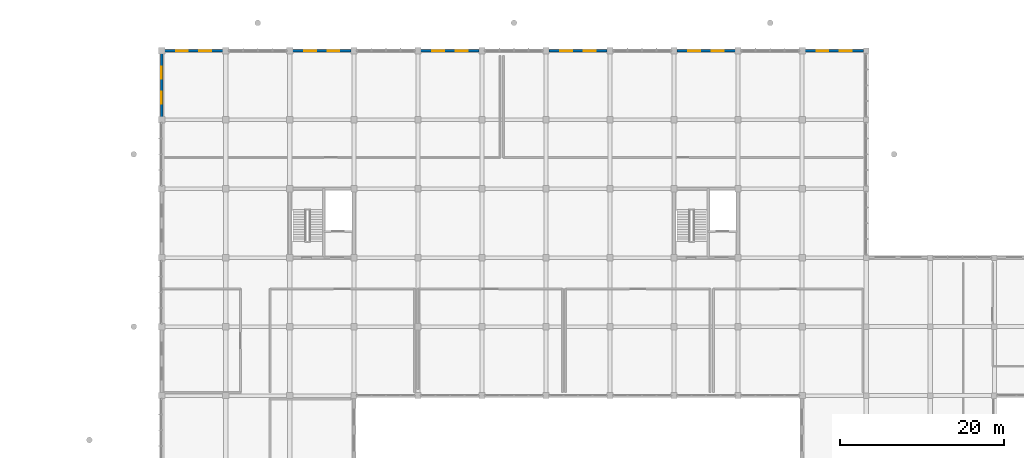
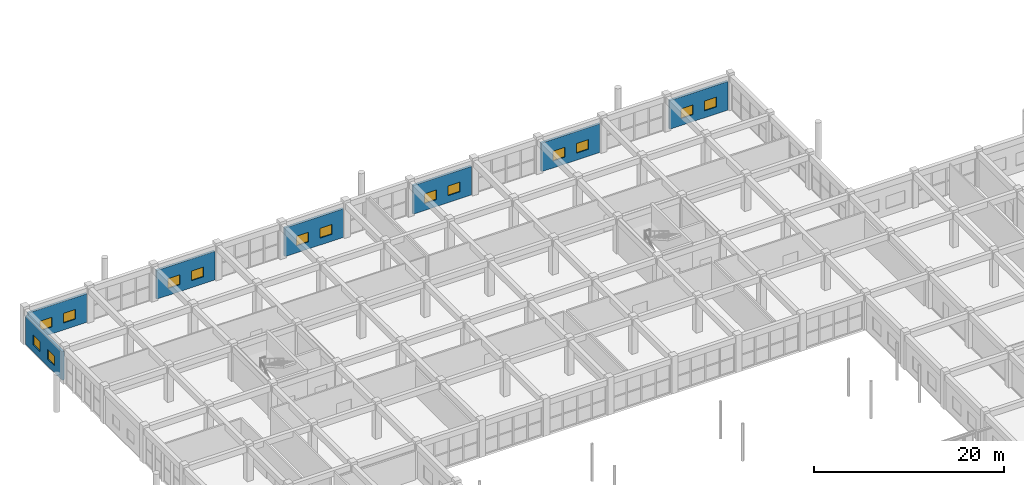
# One storey, part 167 of 175: 14 windows, 7 walls, 14 openings.
"""IFC4 building model written with IfcOpenShell, lengths in metres."""

from ifc_helpers import new_model, si_unit, direction, frame, frame_2d, origin, place, context, subcontext, project, spatial, rectangle, extrude, material, layer, layer_set, type_object, element, fill, save


model = new_model("IFC4")

# Units and contexts
model_context = context("Model", 3, precision=1e-05, world=origin(), true_north=direction((0.0, 1.0)))
body_context = subcontext(model_context, "Body", "Model", "MODEL_VIEW")
ifc_project = project(units=[si_unit("LENGTHUNIT", "METRE"), si_unit("AREAUNIT", "SQUARE_METRE"), si_unit("VOLUMEUNIT", "CUBIC_METRE"), si_unit("PLANEANGLEUNIT", "RADIAN"), si_unit("MASSUNIT", "GRAM", prefix="KILO")], contexts=[model_context])

# Site, building, storey
site_placement = place(None, origin())
site = spatial("IfcSite", under=ifc_project, at=site_placement, CompositionType="ELEMENT")
building_placement = place(site_placement, origin())
building = spatial("IfcBuilding", under=site, at=building_placement, Name="Zizhar Promenade General Hospital", CompositionType="ELEMENT")
storey_placement = place(building_placement, frame((0.0, 0.0, 4.800048828125)))
storey = spatial("IfcBuildingStorey", under=building, at=storey_placement, Name="L01", CompositionType="ELEMENT", Elevation=4.800048828125)

# Wall, openings, windows
ifc_material_1 = material(Name="Precast concrete C40/50", Category="concrete")
ifc_layer = layer(ifc_material_1, 0.27490234375)
ifc_layer_set = layer_set([ifc_layer], Name="Precast concrete C40/50")
wall_type = type_object("IfcWallType", Name="EW-PC-275", PredefinedType="STANDARD", material=ifc_layer_set)
wall_1_placement = place(storey_placement, frame((46.800048828125, 126.340087890625, 0.0), z_axis=(0.0, 0.0, 1.0), x_axis=(0.0, 1.0, 0.0)))
wall_1 = element("IfcWall", 1, at=wall_1_placement, inside=storey, type_object=wall_type, Name="Surgical West Wall L01-15", PredefinedType="STANDARD", context=body_context, shape_type="SweptSolid", body=[
    extrude(rectangle(XDim=7.719970703125, YDim=0.27490234375, at=frame_2d((3.85986328125, 0.0))), origin(), (0.0, 0.0, 1.0), 3.6650390625),
])
opening_1_placement = place(wall_1_placement, frame((1.606689453125, 0.0, 0.89990234375)))
opening_1 = element("IfcOpeningElement", 2, at=opening_1_placement, cuts=wall_1, Name="Opening W-26", PredefinedType="OPENING", context=body_context, shape_type="SweptSolid", body=[
    extrude(rectangle(XDim=1.449951171875, YDim=1.25, at=frame_2d((0.72509765625, 0.625))), frame((0.0, 0.1474609375, 0.0), z_axis=(0.0, -1.0, 0.0), x_axis=(1.0, 0.0, 0.0)), (0.0, 0.0, 1.0), 0.294921875),
])
opening_2_placement = place(wall_1_placement, frame((4.663330078125, 0.0, 0.89990234375)))
opening_2 = element("IfcOpeningElement", 3, at=opening_2_placement, cuts=wall_1, Name="Opening W-26", PredefinedType="OPENING", context=body_context, shape_type="SweptSolid", body=[
    extrude(rectangle(XDim=1.449951171875, YDim=1.25, at=frame_2d((0.72509765625, 0.625))), frame((0.0, 0.1474609375, 0.0), z_axis=(0.0, -1.0, 0.0), x_axis=(1.0, 0.0, 0.0)), (0.0, 0.0, 1.0), 0.294921875),
])
ifc_material_2 = material(Name="Anodised aluminium 6063-T6 and low-E glass", Category="aluminium")
window_type = type_object("IfcWindowType", Name="WIN-OR-145x125", PartitioningType="SINGLE_PANEL", PredefinedType="WINDOW", material=ifc_material_2)
window_1_placement = place(opening_1_placement, origin())
window_1 = element("IfcWindow", 4, at=window_1_placement, inside=storey, type_object=window_type, Name="Surgical West Wall L01-15 Window 1", OverallHeight=1.25, OverallWidth=1.449951171875, PartitioningType="SINGLE_PANEL", PredefinedType="WINDOW", context=body_context, shape_type="SweptSolid", body=[
    extrude(rectangle(XDim=1.449951171875, YDim=1.25, at=frame_2d((0.72509765625, 0.625))), frame((0.0, 0.030029296875, 0.0), z_axis=(0.0, -1.0, 0.0), x_axis=(1.0, 0.0, 0.0)), (0.0, 0.0, 1.0), 0.06005859375),
])
fill(opening_1, window_1)
window_2_placement = place(opening_2_placement, origin())
window_2 = element("IfcWindow", 5, at=window_2_placement, inside=storey, type_object=window_type, Name="Surgical West Wall L01-15 Window 2", OverallHeight=1.25, OverallWidth=1.449951171875, PartitioningType="SINGLE_PANEL", PredefinedType="WINDOW", context=body_context, shape_type="SweptSolid", body=[
    extrude(rectangle(XDim=1.449951171875, YDim=1.25, at=frame_2d((0.72509765625, 0.625))), frame((0.0, 0.030029296875, 0.0), z_axis=(0.0, -1.0, 0.0), x_axis=(1.0, 0.0, 0.0)), (0.0, 0.0, 1.0), 0.06005859375),
])
fill(opening_2, window_2)

wall_2_placement = place(storey_placement, frame((47.139892578125, 134.39990234375, 0.0), z_axis=(0.0, 0.0, 1.0), x_axis=(1.0, 0.0, 0.0)))
wall_2 = element("IfcWall", 6, at=wall_2_placement, inside=storey, type_object=wall_type, Name="Surgical North Wall L01-6", PredefinedType="STANDARD", context=body_context, shape_type="SweptSolid", body=[
    extrude(rectangle(XDim=7.1201171875, YDim=0.27490234375, at=frame_2d((3.56005859375, 0.0))), origin(), (0.0, 0.0, 1.0), 3.679931640625),
])
opening_3_placement = place(wall_2_placement, frame((1.40673828125, 0.0, 0.89990234375)))
opening_3 = element("IfcOpeningElement", 7, at=opening_3_placement, cuts=wall_2, Name="Opening W-26", PredefinedType="OPENING", context=body_context, shape_type="SweptSolid", body=[
    extrude(rectangle(XDim=1.449951171875, YDim=1.25, at=frame_2d((0.72509765625, 0.625))), frame((0.0, 0.1474609375, 0.0), z_axis=(0.0, -1.0, 0.0), x_axis=(1.0, 0.0, 0.0)), (0.0, 0.0, 1.0), 0.294921875),
])
opening_4_placement = place(wall_2_placement, frame((4.26318359375, 0.0, 0.89990234375)))
opening_4 = element("IfcOpeningElement", 8, at=opening_4_placement, cuts=wall_2, Name="Opening W-26", PredefinedType="OPENING", context=body_context, shape_type="SweptSolid", body=[
    extrude(rectangle(XDim=1.449951171875, YDim=1.25, at=frame_2d((0.72509765625, 0.625))), frame((0.0, 0.1474609375, 0.0), z_axis=(0.0, -1.0, 0.0), x_axis=(1.0, 0.0, 0.0)), (0.0, 0.0, 1.0), 0.294921875),
])
window_3_placement = place(opening_3_placement, origin())
window_3 = element("IfcWindow", 9, at=window_3_placement, inside=storey, type_object=window_type, Name="Surgical North Wall L01-6 Window 1", OverallHeight=1.25, OverallWidth=1.449951171875, PartitioningType="SINGLE_PANEL", PredefinedType="WINDOW", context=body_context, shape_type="SweptSolid", body=[
    extrude(rectangle(XDim=1.449951171875, YDim=1.25, at=frame_2d((0.72509765625, 0.625))), frame((0.0, 0.030029296875, 0.0), z_axis=(0.0, -1.0, 0.0), x_axis=(1.0, 0.0, 0.0)), (0.0, 0.0, 1.0), 0.06005859375),
])
fill(opening_3, window_3)
window_4_placement = place(opening_4_placement, origin())
window_4 = element("IfcWindow", 10, at=window_4_placement, inside=storey, type_object=window_type, Name="Surgical North Wall L01-6 Window 2", OverallHeight=1.25, OverallWidth=1.449951171875, PartitioningType="SINGLE_PANEL", PredefinedType="WINDOW", context=body_context, shape_type="SweptSolid", body=[
    extrude(rectangle(XDim=1.449951171875, YDim=1.25, at=frame_2d((0.72509765625, 0.625))), frame((0.0, 0.030029296875, 0.0), z_axis=(0.0, -1.0, 0.0), x_axis=(1.0, 0.0, 0.0)), (0.0, 0.0, 1.0), 0.06005859375),
])
fill(opening_4, window_4)

wall_3_placement = place(storey_placement, frame((62.739990234375, 134.39990234375, 0.0), z_axis=(0.0, 0.0, 1.0), x_axis=(1.0, 0.0, 0.0)))
wall_3 = element("IfcWall", 11, at=wall_3_placement, inside=storey, type_object=wall_type, Name="Surgical North Wall L01-8", PredefinedType="STANDARD", context=body_context, shape_type="SweptSolid", body=[
    extrude(rectangle(XDim=7.1201171875, YDim=0.27490234375, at=frame_2d((3.56005859375, 0.0))), origin(), (0.0, 0.0, 1.0), 3.679931640625),
])
opening_5_placement = place(wall_3_placement, frame((1.40673828125, 0.0, 0.89990234375)))
opening_5 = element("IfcOpeningElement", 12, at=opening_5_placement, cuts=wall_3, Name="Opening W-26", PredefinedType="OPENING", context=body_context, shape_type="SweptSolid", body=[
    extrude(rectangle(XDim=1.449951171875, YDim=1.25, at=frame_2d((0.72509765625, 0.625))), frame((0.0, 0.1474609375, 0.0), z_axis=(0.0, -1.0, 0.0), x_axis=(1.0, 0.0, 0.0)), (0.0, 0.0, 1.0), 0.294921875),
])
opening_6_placement = place(wall_3_placement, frame((4.26318359375, 0.0, 0.89990234375)))
opening_6 = element("IfcOpeningElement", 13, at=opening_6_placement, cuts=wall_3, Name="Opening W-26", PredefinedType="OPENING", context=body_context, shape_type="SweptSolid", body=[
    extrude(rectangle(XDim=1.449951171875, YDim=1.25, at=frame_2d((0.72509765625, 0.625))), frame((0.0, 0.1474609375, 0.0), z_axis=(0.0, -1.0, 0.0), x_axis=(1.0, 0.0, 0.0)), (0.0, 0.0, 1.0), 0.294921875),
])
window_5_placement = place(opening_5_placement, origin())
window_5 = element("IfcWindow", 14, at=window_5_placement, inside=storey, type_object=window_type, Name="Surgical North Wall L01-8 Window 1", OverallHeight=1.25, OverallWidth=1.449951171875, PartitioningType="SINGLE_PANEL", PredefinedType="WINDOW", context=body_context, shape_type="SweptSolid", body=[
    extrude(rectangle(XDim=1.449951171875, YDim=1.25, at=frame_2d((0.72509765625, 0.625))), frame((0.0, 0.030029296875, 0.0), z_axis=(0.0, -1.0, 0.0), x_axis=(1.0, 0.0, 0.0)), (0.0, 0.0, 1.0), 0.06005859375),
])
fill(opening_5, window_5)
window_6_placement = place(opening_6_placement, origin())
window_6 = element("IfcWindow", 15, at=window_6_placement, inside=storey, type_object=window_type, Name="Surgical North Wall L01-8 Window 2", OverallHeight=1.25, OverallWidth=1.449951171875, PartitioningType="SINGLE_PANEL", PredefinedType="WINDOW", context=body_context, shape_type="SweptSolid", body=[
    extrude(rectangle(XDim=1.449951171875, YDim=1.25, at=frame_2d((0.72509765625, 0.625))), frame((0.0, 0.030029296875, 0.0), z_axis=(0.0, -1.0, 0.0), x_axis=(1.0, 0.0, 0.0)), (0.0, 0.0, 1.0), 0.06005859375),
])
fill(opening_6, window_6)

wall_4_placement = place(storey_placement, frame((78.340087890625, 134.39990234375, 0.0), z_axis=(0.0, 0.0, 1.0), x_axis=(1.0, 0.0, 0.0)))
wall_4 = element("IfcWall", 16, at=wall_4_placement, inside=storey, type_object=wall_type, Name="Surgical North Wall L01-10", PredefinedType="STANDARD", context=body_context, shape_type="SweptSolid", body=[
    extrude(rectangle(XDim=7.119873046875, YDim=0.27490234375, at=frame_2d((3.56005859375, 0.0))), origin(), (0.0, 0.0, 1.0), 3.679931640625),
])
opening_7_placement = place(wall_4_placement, frame((1.40673828125, 0.0, 0.89990234375)))
opening_7 = element("IfcOpeningElement", 17, at=opening_7_placement, cuts=wall_4, Name="Opening W-26", PredefinedType="OPENING", context=body_context, shape_type="SweptSolid", body=[
    extrude(rectangle(XDim=1.449951171875, YDim=1.25, at=frame_2d((0.72509765625, 0.625))), frame((0.0, 0.1474609375, 0.0), z_axis=(0.0, -1.0, 0.0), x_axis=(1.0, 0.0, 0.0)), (0.0, 0.0, 1.0), 0.294921875),
])
opening_8_placement = place(wall_4_placement, frame((4.26318359375, 0.0, 0.89990234375)))
opening_8 = element("IfcOpeningElement", 18, at=opening_8_placement, cuts=wall_4, Name="Opening W-26", PredefinedType="OPENING", context=body_context, shape_type="SweptSolid", body=[
    extrude(rectangle(XDim=1.449951171875, YDim=1.25, at=frame_2d((0.72509765625, 0.625))), frame((0.0, 0.1474609375, 0.0), z_axis=(0.0, -1.0, 0.0), x_axis=(1.0, 0.0, 0.0)), (0.0, 0.0, 1.0), 0.294921875),
])
window_7_placement = place(opening_7_placement, origin())
window_7 = element("IfcWindow", 19, at=window_7_placement, inside=storey, type_object=window_type, Name="Surgical North Wall L01-10 Window 1", OverallHeight=1.25, OverallWidth=1.449951171875, PartitioningType="SINGLE_PANEL", PredefinedType="WINDOW", context=body_context, shape_type="SweptSolid", body=[
    extrude(rectangle(XDim=1.449951171875, YDim=1.25, at=frame_2d((0.72509765625, 0.625))), frame((0.0, 0.030029296875, 0.0), z_axis=(0.0, -1.0, 0.0), x_axis=(1.0, 0.0, 0.0)), (0.0, 0.0, 1.0), 0.06005859375),
])
fill(opening_7, window_7)
window_8_placement = place(opening_8_placement, origin())
window_8 = element("IfcWindow", 20, at=window_8_placement, inside=storey, type_object=window_type, Name="Surgical North Wall L01-10 Window 2", OverallHeight=1.25, OverallWidth=1.449951171875, PartitioningType="SINGLE_PANEL", PredefinedType="WINDOW", context=body_context, shape_type="SweptSolid", body=[
    extrude(rectangle(XDim=1.449951171875, YDim=1.25, at=frame_2d((0.72509765625, 0.625))), frame((0.0, 0.030029296875, 0.0), z_axis=(0.0, -1.0, 0.0), x_axis=(1.0, 0.0, 0.0)), (0.0, 0.0, 1.0), 0.06005859375),
])
fill(opening_8, window_8)

wall_5_placement = place(storey_placement, frame((93.93994140625, 134.39990234375, 0.0), z_axis=(0.0, 0.0, 1.0), x_axis=(1.0, 0.0, 0.0)))
wall_5 = element("IfcWall", 21, at=wall_5_placement, inside=storey, type_object=wall_type, Name="Surgical North Wall L01-12", PredefinedType="STANDARD", context=body_context, shape_type="SweptSolid", body=[
    extrude(rectangle(XDim=7.1201171875, YDim=0.27490234375, at=frame_2d((3.56005859375, 0.0))), origin(), (0.0, 0.0, 1.0), 3.679931640625),
])
opening_9_placement = place(wall_5_placement, frame((1.40673828125, 0.0, 0.89990234375)))
opening_9 = element("IfcOpeningElement", 22, at=opening_9_placement, cuts=wall_5, Name="Opening W-26", PredefinedType="OPENING", context=body_context, shape_type="SweptSolid", body=[
    extrude(rectangle(XDim=1.449951171875, YDim=1.25, at=frame_2d((0.72509765625, 0.625))), frame((0.0, 0.1474609375, 0.0), z_axis=(0.0, -1.0, 0.0), x_axis=(1.0, 0.0, 0.0)), (0.0, 0.0, 1.0), 0.294921875),
])
opening_10_placement = place(wall_5_placement, frame((4.26318359375, 0.0, 0.89990234375)))
opening_10 = element("IfcOpeningElement", 23, at=opening_10_placement, cuts=wall_5, Name="Opening W-26", PredefinedType="OPENING", context=body_context, shape_type="SweptSolid", body=[
    extrude(rectangle(XDim=1.449951171875, YDim=1.25, at=frame_2d((0.72509765625, 0.625))), frame((0.0, 0.1474609375, 0.0), z_axis=(0.0, -1.0, 0.0), x_axis=(1.0, 0.0, 0.0)), (0.0, 0.0, 1.0), 0.294921875),
])
window_9_placement = place(opening_9_placement, origin())
window_9 = element("IfcWindow", 24, at=window_9_placement, inside=storey, type_object=window_type, Name="Surgical North Wall L01-12 Window 1", OverallHeight=1.25, OverallWidth=1.449951171875, PartitioningType="SINGLE_PANEL", PredefinedType="WINDOW", context=body_context, shape_type="SweptSolid", body=[
    extrude(rectangle(XDim=1.449951171875, YDim=1.25, at=frame_2d((0.72509765625, 0.625))), frame((0.0, 0.030029296875, 0.0), z_axis=(0.0, -1.0, 0.0), x_axis=(1.0, 0.0, 0.0)), (0.0, 0.0, 1.0), 0.06005859375),
])
fill(opening_9, window_9)
window_10_placement = place(opening_10_placement, origin())
window_10 = element("IfcWindow", 25, at=window_10_placement, inside=storey, type_object=window_type, Name="Surgical North Wall L01-12 Window 2", OverallHeight=1.25, OverallWidth=1.449951171875, PartitioningType="SINGLE_PANEL", PredefinedType="WINDOW", context=body_context, shape_type="SweptSolid", body=[
    extrude(rectangle(XDim=1.449951171875, YDim=1.25, at=frame_2d((0.72509765625, 0.625))), frame((0.0, 0.030029296875, 0.0), z_axis=(0.0, -1.0, 0.0), x_axis=(1.0, 0.0, 0.0)), (0.0, 0.0, 1.0), 0.06005859375),
])
fill(opening_10, window_10)

wall_6_placement = place(storey_placement, frame((109.5400390625, 134.39990234375, 0.0), z_axis=(0.0, 0.0, 1.0), x_axis=(1.0, 0.0, 0.0)))
wall_6 = element("IfcWall", 26, at=wall_6_placement, inside=storey, type_object=wall_type, Name="Surgical North Wall L01-14", PredefinedType="STANDARD", context=body_context, shape_type="SweptSolid", body=[
    extrude(rectangle(XDim=7.119873046875, YDim=0.27490234375, at=frame_2d((3.56005859375, 0.0))), origin(), (0.0, 0.0, 1.0), 3.679931640625),
])
opening_11_placement = place(wall_6_placement, frame((1.40673828125, 0.0, 0.89990234375)))
opening_11 = element("IfcOpeningElement", 27, at=opening_11_placement, cuts=wall_6, Name="Opening W-26", PredefinedType="OPENING", context=body_context, shape_type="SweptSolid", body=[
    extrude(rectangle(XDim=1.449951171875, YDim=1.25, at=frame_2d((0.72509765625, 0.625))), frame((0.0, 0.1474609375, 0.0), z_axis=(0.0, -1.0, 0.0), x_axis=(1.0, 0.0, 0.0)), (0.0, 0.0, 1.0), 0.294921875),
])
opening_12_placement = place(wall_6_placement, frame((4.26318359375, 0.0, 0.89990234375)))
opening_12 = element("IfcOpeningElement", 28, at=opening_12_placement, cuts=wall_6, Name="Opening W-26", PredefinedType="OPENING", context=body_context, shape_type="SweptSolid", body=[
    extrude(rectangle(XDim=1.449951171875, YDim=1.25, at=frame_2d((0.72509765625, 0.625))), frame((0.0, 0.1474609375, 0.0), z_axis=(0.0, -1.0, 0.0), x_axis=(1.0, 0.0, 0.0)), (0.0, 0.0, 1.0), 0.294921875),
])
window_11_placement = place(opening_11_placement, origin())
window_11 = element("IfcWindow", 29, at=window_11_placement, inside=storey, type_object=window_type, Name="Surgical North Wall L01-14 Window 1", OverallHeight=1.25, OverallWidth=1.449951171875, PartitioningType="SINGLE_PANEL", PredefinedType="WINDOW", context=body_context, shape_type="SweptSolid", body=[
    extrude(rectangle(XDim=1.449951171875, YDim=1.25, at=frame_2d((0.72509765625, 0.625))), frame((0.0, 0.030029296875, 0.0), z_axis=(0.0, -1.0, 0.0), x_axis=(1.0, 0.0, 0.0)), (0.0, 0.0, 1.0), 0.06005859375),
])
fill(opening_11, window_11)
window_12_placement = place(opening_12_placement, origin())
window_12 = element("IfcWindow", 30, at=window_12_placement, inside=storey, type_object=window_type, Name="Surgical North Wall L01-14 Window 2", OverallHeight=1.25, OverallWidth=1.449951171875, PartitioningType="SINGLE_PANEL", PredefinedType="WINDOW", context=body_context, shape_type="SweptSolid", body=[
    extrude(rectangle(XDim=1.449951171875, YDim=1.25, at=frame_2d((0.72509765625, 0.625))), frame((0.0, 0.030029296875, 0.0), z_axis=(0.0, -1.0, 0.0), x_axis=(1.0, 0.0, 0.0)), (0.0, 0.0, 1.0), 0.06005859375),
])
fill(opening_12, window_12)

wall_7_placement = place(storey_placement, frame((125.139892578125, 134.39990234375, 0.0), z_axis=(0.0, 0.0, 1.0), x_axis=(1.0, 0.0, 0.0)))
wall_7 = element("IfcWall", 31, at=wall_7_placement, inside=storey, type_object=wall_type, Name="Surgical North Wall L01-16", PredefinedType="STANDARD", context=body_context, shape_type="SweptSolid", body=[
    extrude(rectangle(XDim=7.1201171875, YDim=0.27490234375, at=frame_2d((3.56005859375, 0.0))), origin(), (0.0, 0.0, 1.0), 3.679931640625),
])
opening_13_placement = place(wall_7_placement, frame((1.40673828125, 0.0, 0.89990234375)))
opening_13 = element("IfcOpeningElement", 32, at=opening_13_placement, cuts=wall_7, Name="Opening W-26", PredefinedType="OPENING", context=body_context, shape_type="SweptSolid", body=[
    extrude(rectangle(XDim=1.449951171875, YDim=1.25, at=frame_2d((0.72509765625, 0.625))), frame((0.0, 0.1474609375, 0.0), z_axis=(0.0, -1.0, 0.0), x_axis=(1.0, 0.0, 0.0)), (0.0, 0.0, 1.0), 0.294921875),
])
opening_14_placement = place(wall_7_placement, frame((4.26318359375, 0.0, 0.89990234375)))
opening_14 = element("IfcOpeningElement", 33, at=opening_14_placement, cuts=wall_7, Name="Opening W-26", PredefinedType="OPENING", context=body_context, shape_type="SweptSolid", body=[
    extrude(rectangle(XDim=1.449951171875, YDim=1.25, at=frame_2d((0.72509765625, 0.625))), frame((0.0, 0.1474609375, 0.0), z_axis=(0.0, -1.0, 0.0), x_axis=(1.0, 0.0, 0.0)), (0.0, 0.0, 1.0), 0.294921875),
])
window_13_placement = place(opening_13_placement, origin())
window_13 = element("IfcWindow", 34, at=window_13_placement, inside=storey, type_object=window_type, Name="Surgical North Wall L01-16 Window 1", OverallHeight=1.25, OverallWidth=1.449951171875, PartitioningType="SINGLE_PANEL", PredefinedType="WINDOW", context=body_context, shape_type="SweptSolid", body=[
    extrude(rectangle(XDim=1.449951171875, YDim=1.25, at=frame_2d((0.72509765625, 0.625))), frame((0.0, 0.030029296875, 0.0), z_axis=(0.0, -1.0, 0.0), x_axis=(1.0, 0.0, 0.0)), (0.0, 0.0, 1.0), 0.06005859375),
])
fill(opening_13, window_13)
window_14_placement = place(opening_14_placement, origin())
window_14 = element("IfcWindow", 35, at=window_14_placement, inside=storey, type_object=window_type, Name="Surgical North Wall L01-16 Window 2", OverallHeight=1.25, OverallWidth=1.449951171875, PartitioningType="SINGLE_PANEL", PredefinedType="WINDOW", context=body_context, shape_type="SweptSolid", body=[
    extrude(rectangle(XDim=1.449951171875, YDim=1.25, at=frame_2d((0.72509765625, 0.625))), frame((0.0, 0.030029296875, 0.0), z_axis=(0.0, -1.0, 0.0), x_axis=(1.0, 0.0, 0.0)), (0.0, 0.0, 1.0), 0.06005859375),
])
fill(opening_14, window_14)

save(model, "model.ifc")
